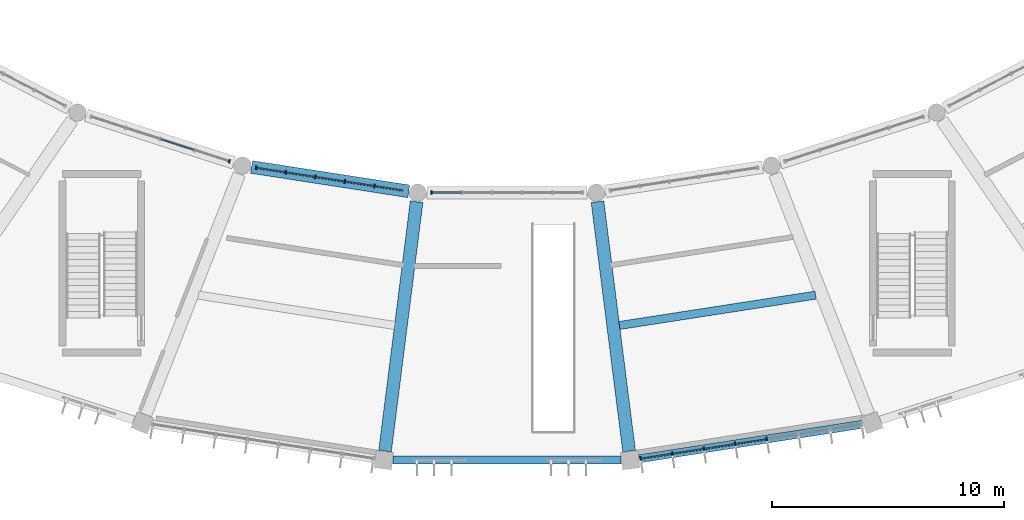
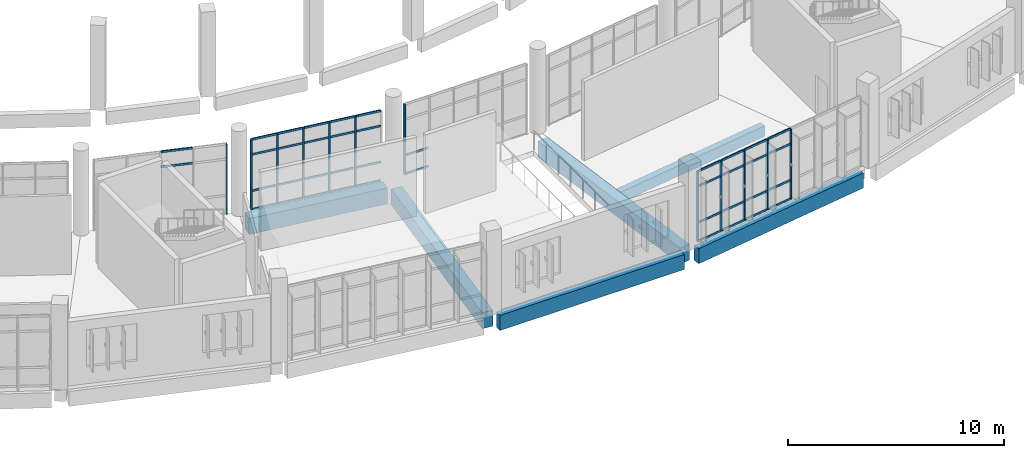
# One storey, part 14 of 179: 52 members, 6 beams, 4 elements without a shape of their own.
"""IFC4 building model written with IfcOpenShell, lengths in metres."""

from ifc_helpers import new_model, si_unit, direction, frame, origin, origin_2d, place, context, subcontext, project, spatial, rectangle, extrude, material, layer, layer_set, material_profile, profile_set, type_object, element, aggregate, save


model = new_model("IFC4")

# Units and contexts
model_context = context("Model", 3, precision=1e-05, world=origin(), true_north=direction((0.0, 1.0)))
body_context = subcontext(model_context, "Body", "Model", "MODEL_VIEW")
ifc_project = project(units=[si_unit("LENGTHUNIT", "METRE"), si_unit("AREAUNIT", "SQUARE_METRE"), si_unit("VOLUMEUNIT", "CUBIC_METRE"), si_unit("PLANEANGLEUNIT", "RADIAN"), si_unit("MASSUNIT", "GRAM", prefix="KILO")], contexts=[model_context])

# Site, building, storey
site_placement = place(None, origin())
site = spatial("IfcSite", under=ifc_project, at=site_placement, CompositionType="ELEMENT")
building_placement = place(site_placement, origin())
building = spatial("IfcBuilding", under=site, at=building_placement, Name="Corvandel Quay Wholesale Market", CompositionType="ELEMENT")
storey_placement = place(building_placement, frame((0.0, 0.0, 6.0)))
storey = spatial("IfcBuildingStorey", under=building, at=storey_placement, Name="L01", CompositionType="ELEMENT", Elevation=6.0)

# Curtain wall, member
ifc_material_1 = material(Name="Bronze anodised aluminium and low-E insulated glazing", Category="aluminium")
ifc_layer_1 = layer(ifc_material_1, 0.174072265625)
ifc_layer_set_1 = layer_set([ifc_layer_1], Name="Bronze anodised aluminium and low-E insulated glazing")
curtain_wall_type_1 = type_object("IfcCurtainWallType", Name="Stick Curtain Wall System CW12 H4080", PredefinedType="NOTDEFINED", material=ifc_layer_set_1)
curtain_wall_1_placement = place(storey_placement, origin())
curtain_wall_1 = element("IfcCurtainWall", 1, at=curtain_wall_1_placement, inside=storey, type_object=curtain_wall_type_1, Name="Curtain Wall CW-0064", PredefinedType="NOTDEFINED")
ifc_material_2 = material(Name="Anodised aluminium 6063-T6", Category="aluminium")
ifc_material_profile_1 = material_profile(ifc_material_2, rectangle(XDim=0.06494140625, YDim=0.14990234375, at=origin_2d()), Name="ALU-MUL-65x150")
ifc_profile_set_1 = profile_set([ifc_material_profile_1], Name="Anodised aluminium 6063-T6")
member_type_1 = type_object("IfcMemberType", Name="Curtain Wall Mullion ML02 65x150", PredefinedType="MULLION", material=ifc_profile_set_1)
member_1_placement = place(storey_placement, frame((102.0087890625, 12.904052734375, 0.0), z_axis=(0.0, 0.0, 1.0), x_axis=(-0.951808747363, 0.306692204733, 0.0)))
member_1 = element("IfcMember", 2, at=member_1_placement, type_object=member_type_1, Name="Mullion CW-0064-M04", PredefinedType="MULLION", context=body_context, shape_type="SweptSolid", body=[
    extrude(rectangle(XDim=0.06494140625, YDim=0.14990234375, at=origin_2d()), origin(), (0.0, 0.0, 1.0), 3.949951171875),
])

# Curtain wall, members
ifc_layer_2 = layer(ifc_material_1, 0.18603515625)
ifc_layer_set_2 = layer_set([ifc_layer_2], Name="Bronze anodised aluminium and low-E insulated glazing")
curtain_wall_type_2 = type_object("IfcCurtainWallType", Name="Stick Curtain Wall System CW13 H4170", PredefinedType="NOTDEFINED", material=ifc_layer_set_2)
curtain_wall_2_placement = place(storey_placement, origin())
curtain_wall_2 = element("IfcCurtainWall", 3, at=curtain_wall_2_placement, inside=storey, type_object=curtain_wall_type_2, Name="Curtain Wall CW-0067", PredefinedType="NOTDEFINED")
member_2_placement = place(storey_placement, frame((103.173095703125, 12.62841796875, 0.0), z_axis=(0.0, 0.0, 1.0), x_axis=(-0.98825506746, 0.152813355565, 0.0)))
member_2 = element("IfcMember", 4, at=member_2_placement, type_object=member_type_1, Name="Mullion CW-0067-M00", PredefinedType="MULLION", context=body_context, shape_type="SweptSolid", body=[
    extrude(rectangle(XDim=0.06494140625, YDim=0.14990234375, at=origin_2d()), origin(), (0.0, 0.0, 1.0), 3.949951171875),
])
member_3_placement = place(storey_placement, frame((104.448486328125, 12.430908203125, 0.0), z_axis=(0.0, 0.0, 1.0), x_axis=(-0.98825506746, 0.152813355565, 0.0)))
member_3 = element("IfcMember", 5, at=member_3_placement, type_object=member_type_1, Name="Mullion CW-0067-M01", PredefinedType="MULLION", context=body_context, shape_type="SweptSolid", body=[
    extrude(rectangle(XDim=0.06494140625, YDim=0.14990234375, at=origin_2d()), origin(), (0.0, 0.0, 1.0), 3.949951171875),
])
member_4_placement = place(storey_placement, frame((105.72412109375, 12.233642578125, 0.0), z_axis=(0.0, 0.0, 1.0), x_axis=(-0.98825506746, 0.152813355565, 0.0)))
member_4 = element("IfcMember", 6, at=member_4_placement, type_object=member_type_1, Name="Mullion CW-0067-M02", PredefinedType="MULLION", context=body_context, shape_type="SweptSolid", body=[
    extrude(rectangle(XDim=0.06494140625, YDim=0.14990234375, at=origin_2d()), origin(), (0.0, 0.0, 1.0), 3.949951171875),
])
member_5_placement = place(storey_placement, frame((106.999755859375, 12.036376953125, 0.0), z_axis=(0.0, 0.0, 1.0), x_axis=(-0.98825506746, 0.152813355565, 0.0)))
member_5 = element("IfcMember", 7, at=member_5_placement, type_object=member_type_1, Name="Mullion CW-0067-M03", PredefinedType="MULLION", context=body_context, shape_type="SweptSolid", body=[
    extrude(rectangle(XDim=0.06494140625, YDim=0.14990234375, at=origin_2d()), origin(), (0.0, 0.0, 1.0), 3.949951171875),
])
member_6_placement = place(storey_placement, frame((108.275390625, 11.839111328125, 0.0), z_axis=(0.0, 0.0, 1.0), x_axis=(-0.98825506746, 0.152813355565, 0.0)))
member_6 = element("IfcMember", 8, at=member_6_placement, type_object=member_type_1, Name="Mullion CW-0067-M04", PredefinedType="MULLION", context=body_context, shape_type="SweptSolid", body=[
    extrude(rectangle(XDim=0.06494140625, YDim=0.14990234375, at=origin_2d()), origin(), (0.0, 0.0, 1.0), 3.949951171875),
])

# Curtain wall, member
ifc_layer_3 = layer(ifc_material_1, 0.197998046875)
ifc_layer_set_3 = layer_set([ifc_layer_3], Name="Bronze anodised aluminium and low-E insulated glazing")
curtain_wall_type_3 = type_object("IfcCurtainWallType", Name="Stick Curtain Wall System CW14 H4260", PredefinedType="NOTDEFINED", material=ifc_layer_set_3)
curtain_wall_3_placement = place(storey_placement, origin())
curtain_wall_3 = element("IfcCurtainWall", 9, at=curtain_wall_3_placement, inside=storey, type_object=curtain_wall_type_3, Name="Curtain Wall CW-0069", PredefinedType="NOTDEFINED")
member_7_placement = place(storey_placement, frame((110.743896484375, 11.550048828125, 0.0), z_axis=(0.0, 0.0, 1.0), x_axis=(1.0, 0.0, 0.0)))
member_7 = element("IfcMember", 10, at=member_7_placement, type_object=member_type_1, Name="Mullion CW-0069-M00", PredefinedType="MULLION", context=body_context, shape_type="SweptSolid", body=[
    extrude(rectangle(XDim=0.06494140625, YDim=0.14990234375, at=origin_2d()), origin(), (0.0, 0.0, 1.0), 3.949951171875),
])

# Curtain wall, members
ifc_layer_4 = layer(ifc_material_1, 0.162109375)
ifc_layer_set_4 = layer_set([ifc_layer_4], Name="Bronze anodised aluminium and low-E insulated glazing")
curtain_wall_type_4 = type_object("IfcCurtainWallType", Name="Stick Curtain Wall System CW01 H3090", PredefinedType="NOTDEFINED", material=ifc_layer_set_4)
curtain_wall_4_placement = place(storey_placement, origin())
curtain_wall_4 = element("IfcCurtainWall", 11, at=curtain_wall_4_placement, inside=storey, type_object=curtain_wall_type_4, Name="Curtain Wall CW-0071", PredefinedType="NOTDEFINED")
member_8_placement = place(storey_placement, frame((119.763671875, 0.06884765625, 0.0), z_axis=(0.0, 0.0, 1.0), x_axis=(0.98825506746, 0.152813355565, 0.0)))
member_8 = element("IfcMember", 12, at=member_8_placement, type_object=member_type_1, Name="Mullion CW-0071-M00", PredefinedType="MULLION", context=body_context, shape_type="SweptSolid", body=[
    extrude(rectangle(XDim=0.06494140625, YDim=0.14990234375, at=origin_2d()), origin(), (0.0, 0.0, 1.0), 3.949951171875),
])
member_9_placement = place(storey_placement, frame((121.126953125, 0.27978515625, 0.0), z_axis=(0.0, 0.0, 1.0), x_axis=(0.98825506746, 0.152813355565, 0.0)))
member_9 = element("IfcMember", 13, at=member_9_placement, type_object=member_type_1, Name="Mullion CW-0071-M01", PredefinedType="MULLION", context=body_context, shape_type="SweptSolid", body=[
    extrude(rectangle(XDim=0.06494140625, YDim=0.14990234375, at=origin_2d()), origin(), (0.0, 0.0, 1.0), 3.949951171875),
])
member_10_placement = place(storey_placement, frame((122.490234375, 0.490478515625, 0.0), z_axis=(0.0, 0.0, 1.0), x_axis=(0.98825506746, 0.152813355565, 0.0)))
member_10 = element("IfcMember", 14, at=member_10_placement, type_object=member_type_1, Name="Mullion CW-0071-M02", PredefinedType="MULLION", context=body_context, shape_type="SweptSolid", body=[
    extrude(rectangle(XDim=0.06494140625, YDim=0.14990234375, at=origin_2d()), origin(), (0.0, 0.0, 1.0), 3.949951171875),
])
member_11_placement = place(storey_placement, frame((123.853515625, 0.701416015625, 0.0), z_axis=(0.0, 0.0, 1.0), x_axis=(0.98825506746, 0.152813355565, 0.0)))
member_11 = element("IfcMember", 15, at=member_11_placement, type_object=member_type_1, Name="Mullion CW-0071-M03", PredefinedType="MULLION", context=body_context, shape_type="SweptSolid", body=[
    extrude(rectangle(XDim=0.06494140625, YDim=0.14990234375, at=origin_2d()), origin(), (0.0, 0.0, 1.0), 3.949951171875),
])
member_12_placement = place(storey_placement, frame((125.216552734375, 0.91259765625, 0.0), z_axis=(0.0, 0.0, 1.0), x_axis=(0.98825506746, 0.152813355565, 0.0)))
member_12 = element("IfcMember", 16, at=member_12_placement, type_object=member_type_1, Name="Mullion CW-0071-M04", PredefinedType="MULLION", context=body_context, shape_type="SweptSolid", body=[
    extrude(rectangle(XDim=0.06494140625, YDim=0.14990234375, at=origin_2d()), origin(), (0.0, 0.0, 1.0), 3.949951171875),
])

# Member
ifc_material_profile_2 = material_profile(ifc_material_2, rectangle(XDim=0.06005859375, YDim=0.110107421875, at=origin_2d()), Name="ALU-TRN-60x110")
ifc_profile_set_2 = profile_set([ifc_material_profile_2], Name="Anodised aluminium 6063-T6")
member_type_2 = type_object("IfcMemberType", Name="Curtain Wall Transom TR02 60x110", PredefinedType="USERDEFINED", material=ifc_profile_set_2)
member_13_placement = place(storey_placement, frame((99.048828125, 13.85791015625, 3.10009765625), z_axis=(0.951812449712, -0.306680714383, 0.0), x_axis=(0.306680714383, 0.951812449712, 0.0)))
member_13 = element("IfcMember", 17, at=member_13_placement, type_object=member_type_2, Name="Transom CW-0064-T02-2", ObjectType="TRANSOM", PredefinedType="USERDEFINED", context=body_context, shape_type="SweptSolid", body=[
    extrude(rectangle(XDim=0.06005859375, YDim=0.110107421875, at=origin_2d()), origin(), (0.0, 0.0, 1.0), 1.506103515625),
])

member_14_placement = place(storey_placement, frame((99.048828125, 13.85791015625, 3.949951171875), z_axis=(0.951812449712, -0.306680714383, 0.0), x_axis=(0.306680714383, 0.951812449712, 0.0)))
member_14 = element("IfcMember", 18, at=member_14_placement, type_object=member_type_2, Name="Transom CW-0064-T02-3", ObjectType="TRANSOM", PredefinedType="USERDEFINED", context=body_context, shape_type="SweptSolid", body=[
    extrude(rectangle(XDim=0.06005859375, YDim=0.110107421875, at=origin_2d()), origin(), (0.0, 0.0, 1.0), 1.506103515625),
])

aggregate(curtain_wall_1, [member_1, member_13, member_14])

member_15_placement = place(storey_placement, frame((103.205078125, 12.623291015625, 0.0), z_axis=(0.988233143916, -0.152955069433, 0.0), x_axis=(0.152955069433, 0.988233143916, 0.0)))
member_15 = element("IfcMember", 19, at=member_15_placement, type_object=member_type_2, Name="Transom CW-0067-T00-0", ObjectType="TRANSOM", PredefinedType="USERDEFINED", context=body_context, shape_type="SweptSolid", body=[
    extrude(rectangle(XDim=0.06005859375, YDim=0.110107421875, at=origin_2d()), origin(), (0.0, 0.0, 1.0), 1.225830078125),
])

member_16_placement = place(storey_placement, frame((103.205078125, 12.623291015625, 1.050048828125), z_axis=(0.988233143916, -0.152955069433, 0.0), x_axis=(0.152955069433, 0.988233143916, 0.0)))
member_16 = element("IfcMember", 20, at=member_16_placement, type_object=member_type_2, Name="Transom CW-0067-T00-1", ObjectType="TRANSOM", PredefinedType="USERDEFINED", context=body_context, shape_type="SweptSolid", body=[
    extrude(rectangle(XDim=0.06005859375, YDim=0.110107421875, at=origin_2d()), origin(), (0.0, 0.0, 1.0), 1.225830078125),
])

member_17_placement = place(storey_placement, frame((103.205078125, 12.623291015625, 3.10009765625), z_axis=(0.988233143916, -0.152955069433, 0.0), x_axis=(0.152955069433, 0.988233143916, 0.0)))
member_17 = element("IfcMember", 21, at=member_17_placement, type_object=member_type_2, Name="Transom CW-0067-T00-2", ObjectType="TRANSOM", PredefinedType="USERDEFINED", context=body_context, shape_type="SweptSolid", body=[
    extrude(rectangle(XDim=0.06005859375, YDim=0.110107421875, at=origin_2d()), origin(), (0.0, 0.0, 1.0), 1.225830078125),
])

member_18_placement = place(storey_placement, frame((103.205078125, 12.623291015625, 3.949951171875), z_axis=(0.988233143916, -0.152955069433, 0.0), x_axis=(0.152955069433, 0.988233143916, 0.0)))
member_18 = element("IfcMember", 22, at=member_18_placement, type_object=member_type_2, Name="Transom CW-0067-T00-3", ObjectType="TRANSOM", PredefinedType="USERDEFINED", context=body_context, shape_type="SweptSolid", body=[
    extrude(rectangle(XDim=0.06005859375, YDim=0.110107421875, at=origin_2d()), origin(), (0.0, 0.0, 1.0), 1.225830078125),
])

member_19_placement = place(storey_placement, frame((104.480712890625, 12.426025390625, 0.0), z_axis=(0.988233143916, -0.152955069433, 0.0), x_axis=(0.152955069433, 0.988233143916, 0.0)))
member_19 = element("IfcMember", 23, at=member_19_placement, type_object=member_type_2, Name="Transom CW-0067-T01-0", ObjectType="TRANSOM", PredefinedType="USERDEFINED", context=body_context, shape_type="SweptSolid", body=[
    extrude(rectangle(XDim=0.06005859375, YDim=0.110107421875, at=origin_2d()), origin(), (0.0, 0.0, 1.0), 1.225830078125),
])

member_20_placement = place(storey_placement, frame((104.480712890625, 12.426025390625, 1.050048828125), z_axis=(0.988233143916, -0.152955069433, 0.0), x_axis=(0.152955069433, 0.988233143916, 0.0)))
member_20 = element("IfcMember", 24, at=member_20_placement, type_object=member_type_2, Name="Transom CW-0067-T01-1", ObjectType="TRANSOM", PredefinedType="USERDEFINED", context=body_context, shape_type="SweptSolid", body=[
    extrude(rectangle(XDim=0.06005859375, YDim=0.110107421875, at=origin_2d()), origin(), (0.0, 0.0, 1.0), 1.225830078125),
])

member_21_placement = place(storey_placement, frame((104.480712890625, 12.426025390625, 3.10009765625), z_axis=(0.988233143916, -0.152955069433, 0.0), x_axis=(0.152955069433, 0.988233143916, 0.0)))
member_21 = element("IfcMember", 25, at=member_21_placement, type_object=member_type_2, Name="Transom CW-0067-T01-2", ObjectType="TRANSOM", PredefinedType="USERDEFINED", context=body_context, shape_type="SweptSolid", body=[
    extrude(rectangle(XDim=0.06005859375, YDim=0.110107421875, at=origin_2d()), origin(), (0.0, 0.0, 1.0), 1.225830078125),
])

member_22_placement = place(storey_placement, frame((104.480712890625, 12.426025390625, 3.949951171875), z_axis=(0.988233143916, -0.152955069433, 0.0), x_axis=(0.152955069433, 0.988233143916, 0.0)))
member_22 = element("IfcMember", 26, at=member_22_placement, type_object=member_type_2, Name="Transom CW-0067-T01-3", ObjectType="TRANSOM", PredefinedType="USERDEFINED", context=body_context, shape_type="SweptSolid", body=[
    extrude(rectangle(XDim=0.06005859375, YDim=0.110107421875, at=origin_2d()), origin(), (0.0, 0.0, 1.0), 1.225830078125),
])

member_23_placement = place(storey_placement, frame((105.75634765625, 12.228759765625, 0.0), z_axis=(0.988233143916, -0.152955069433, 0.0), x_axis=(0.152955069433, 0.988233143916, 0.0)))
member_23 = element("IfcMember", 27, at=member_23_placement, type_object=member_type_2, Name="Transom CW-0067-T02-0", ObjectType="TRANSOM", PredefinedType="USERDEFINED", context=body_context, shape_type="SweptSolid", body=[
    extrude(rectangle(XDim=0.06005859375, YDim=0.110107421875, at=origin_2d()), origin(), (0.0, 0.0, 1.0), 1.225830078125),
])

member_24_placement = place(storey_placement, frame((105.75634765625, 12.228759765625, 1.050048828125), z_axis=(0.988233143916, -0.152955069433, 0.0), x_axis=(0.152955069433, 0.988233143916, 0.0)))
member_24 = element("IfcMember", 28, at=member_24_placement, type_object=member_type_2, Name="Transom CW-0067-T02-1", ObjectType="TRANSOM", PredefinedType="USERDEFINED", context=body_context, shape_type="SweptSolid", body=[
    extrude(rectangle(XDim=0.06005859375, YDim=0.110107421875, at=origin_2d()), origin(), (0.0, 0.0, 1.0), 1.225830078125),
])

member_25_placement = place(storey_placement, frame((105.75634765625, 12.228759765625, 3.10009765625), z_axis=(0.988233143916, -0.152955069433, 0.0), x_axis=(0.152955069433, 0.988233143916, 0.0)))
member_25 = element("IfcMember", 29, at=member_25_placement, type_object=member_type_2, Name="Transom CW-0067-T02-2", ObjectType="TRANSOM", PredefinedType="USERDEFINED", context=body_context, shape_type="SweptSolid", body=[
    extrude(rectangle(XDim=0.06005859375, YDim=0.110107421875, at=origin_2d()), origin(), (0.0, 0.0, 1.0), 1.225830078125),
])

member_26_placement = place(storey_placement, frame((105.75634765625, 12.228759765625, 3.949951171875), z_axis=(0.988233143916, -0.152955069433, 0.0), x_axis=(0.152955069433, 0.988233143916, 0.0)))
member_26 = element("IfcMember", 30, at=member_26_placement, type_object=member_type_2, Name="Transom CW-0067-T02-3", ObjectType="TRANSOM", PredefinedType="USERDEFINED", context=body_context, shape_type="SweptSolid", body=[
    extrude(rectangle(XDim=0.06005859375, YDim=0.110107421875, at=origin_2d()), origin(), (0.0, 0.0, 1.0), 1.225830078125),
])

member_27_placement = place(storey_placement, frame((107.031982421875, 12.031494140625, 0.0), z_axis=(0.988233143916, -0.152955069433, 0.0), x_axis=(0.152955069433, 0.988233143916, 0.0)))
member_27 = element("IfcMember", 31, at=member_27_placement, type_object=member_type_2, Name="Transom CW-0067-T03-0", ObjectType="TRANSOM", PredefinedType="USERDEFINED", context=body_context, shape_type="SweptSolid", body=[
    extrude(rectangle(XDim=0.06005859375, YDim=0.110107421875, at=origin_2d()), origin(), (0.0, 0.0, 1.0), 1.225830078125),
])

member_28_placement = place(storey_placement, frame((107.031982421875, 12.031494140625, 1.050048828125), z_axis=(0.988233143916, -0.152955069433, 0.0), x_axis=(0.152955069433, 0.988233143916, 0.0)))
member_28 = element("IfcMember", 32, at=member_28_placement, type_object=member_type_2, Name="Transom CW-0067-T03-1", ObjectType="TRANSOM", PredefinedType="USERDEFINED", context=body_context, shape_type="SweptSolid", body=[
    extrude(rectangle(XDim=0.06005859375, YDim=0.110107421875, at=origin_2d()), origin(), (0.0, 0.0, 1.0), 1.225830078125),
])

member_29_placement = place(storey_placement, frame((107.031982421875, 12.031494140625, 3.10009765625), z_axis=(0.988233143916, -0.152955069433, 0.0), x_axis=(0.152955069433, 0.988233143916, 0.0)))
member_29 = element("IfcMember", 33, at=member_29_placement, type_object=member_type_2, Name="Transom CW-0067-T03-2", ObjectType="TRANSOM", PredefinedType="USERDEFINED", context=body_context, shape_type="SweptSolid", body=[
    extrude(rectangle(XDim=0.06005859375, YDim=0.110107421875, at=origin_2d()), origin(), (0.0, 0.0, 1.0), 1.225830078125),
])

member_30_placement = place(storey_placement, frame((107.031982421875, 12.031494140625, 3.949951171875), z_axis=(0.988233143916, -0.152955069433, 0.0), x_axis=(0.152955069433, 0.988233143916, 0.0)))
member_30 = element("IfcMember", 34, at=member_30_placement, type_object=member_type_2, Name="Transom CW-0067-T03-3", ObjectType="TRANSOM", PredefinedType="USERDEFINED", context=body_context, shape_type="SweptSolid", body=[
    extrude(rectangle(XDim=0.06005859375, YDim=0.110107421875, at=origin_2d()), origin(), (0.0, 0.0, 1.0), 1.225830078125),
])

member_31_placement = place(storey_placement, frame((108.3076171875, 11.833984375, 0.0), z_axis=(0.988258580736, -0.152790633224, 0.0), x_axis=(0.152790633224, 0.988258580736, 0.0)))
member_31 = element("IfcMember", 35, at=member_31_placement, type_object=member_type_2, Name="Transom CW-0067-T04-0", ObjectType="TRANSOM", PredefinedType="USERDEFINED", context=body_context, shape_type="SweptSolid", body=[
    extrude(rectangle(XDim=0.06005859375, YDim=0.110107421875, at=origin_2d()), origin(), (0.0, 0.0, 1.0), 1.2255859375),
])

member_32_placement = place(storey_placement, frame((108.3076171875, 11.833984375, 1.050048828125), z_axis=(0.988258580736, -0.152790633224, 0.0), x_axis=(0.152790633224, 0.988258580736, 0.0)))
member_32 = element("IfcMember", 36, at=member_32_placement, type_object=member_type_2, Name="Transom CW-0067-T04-1", ObjectType="TRANSOM", PredefinedType="USERDEFINED", context=body_context, shape_type="SweptSolid", body=[
    extrude(rectangle(XDim=0.06005859375, YDim=0.110107421875, at=origin_2d()), origin(), (0.0, 0.0, 1.0), 1.2255859375),
])

member_33_placement = place(storey_placement, frame((108.3076171875, 11.833984375, 3.10009765625), z_axis=(0.988258580736, -0.152790633224, 0.0), x_axis=(0.152790633224, 0.988258580736, 0.0)))
member_33 = element("IfcMember", 37, at=member_33_placement, type_object=member_type_2, Name="Transom CW-0067-T04-2", ObjectType="TRANSOM", PredefinedType="USERDEFINED", context=body_context, shape_type="SweptSolid", body=[
    extrude(rectangle(XDim=0.06005859375, YDim=0.110107421875, at=origin_2d()), origin(), (0.0, 0.0, 1.0), 1.2255859375),
])

member_34_placement = place(storey_placement, frame((108.3076171875, 11.833984375, 3.949951171875), z_axis=(0.988258580736, -0.152790633224, 0.0), x_axis=(0.152790633224, 0.988258580736, 0.0)))
member_34 = element("IfcMember", 38, at=member_34_placement, type_object=member_type_2, Name="Transom CW-0067-T04-3", ObjectType="TRANSOM", PredefinedType="USERDEFINED", context=body_context, shape_type="SweptSolid", body=[
    extrude(rectangle(XDim=0.06005859375, YDim=0.110107421875, at=origin_2d()), origin(), (0.0, 0.0, 1.0), 1.2255859375),
])

aggregate(curtain_wall_2, [member_2, member_3, member_4, member_5, member_6, member_15, member_16, member_17, member_18, member_19, member_20, member_21, member_22, member_23, member_24, member_25, member_26, member_27, member_28, member_29, member_30, member_31, member_32, member_33, member_34])

member_35_placement = place(storey_placement, frame((110.776611328125, 11.550048828125, 0.0), z_axis=(1.0, 0.0, 0.0), x_axis=(0.0, 1.0, 0.0)))
member_35 = element("IfcMember", 39, at=member_35_placement, type_object=member_type_2, Name="Transom CW-0069-T00-0", ObjectType="TRANSOM", PredefinedType="USERDEFINED", context=body_context, shape_type="SweptSolid", body=[
    extrude(rectangle(XDim=0.06005859375, YDim=0.110107421875, at=origin_2d()), origin(), (0.0, 0.0, 1.0), 1.2373046875),
])

member_36_placement = place(storey_placement, frame((110.776611328125, 11.550048828125, 1.050048828125), z_axis=(1.0, 0.0, 0.0), x_axis=(0.0, 1.0, 0.0)))
member_36 = element("IfcMember", 40, at=member_36_placement, type_object=member_type_2, Name="Transom CW-0069-T00-1", ObjectType="TRANSOM", PredefinedType="USERDEFINED", context=body_context, shape_type="SweptSolid", body=[
    extrude(rectangle(XDim=0.06005859375, YDim=0.110107421875, at=origin_2d()), origin(), (0.0, 0.0, 1.0), 1.2373046875),
])

aggregate(curtain_wall_3, [member_7, member_35, member_36])

member_37_placement = place(storey_placement, frame((119.7958984375, 0.07373046875, 0.0), z_axis=(0.988244650986, 0.152880704466, 0.0), x_axis=(-0.152880704466, 0.988244650986, 0.0)))
member_37 = element("IfcMember", 41, at=member_37_placement, type_object=member_type_2, Name="Transom CW-0071-T00-0", ObjectType="TRANSOM", PredefinedType="USERDEFINED", context=body_context, shape_type="SweptSolid", body=[
    extrude(rectangle(XDim=0.06005859375, YDim=0.110107421875, at=origin_2d()), origin(), (0.0, 0.0, 1.0), 1.314208984375),
])

member_38_placement = place(storey_placement, frame((119.7958984375, 0.07373046875, 1.050048828125), z_axis=(0.988244650986, 0.152880704466, 0.0), x_axis=(-0.152880704466, 0.988244650986, 0.0)))
member_38 = element("IfcMember", 42, at=member_38_placement, type_object=member_type_2, Name="Transom CW-0071-T00-1", ObjectType="TRANSOM", PredefinedType="USERDEFINED", context=body_context, shape_type="SweptSolid", body=[
    extrude(rectangle(XDim=0.06005859375, YDim=0.110107421875, at=origin_2d()), origin(), (0.0, 0.0, 1.0), 1.314208984375),
])

member_39_placement = place(storey_placement, frame((119.7958984375, 0.07373046875, 3.10009765625), z_axis=(0.988244650986, 0.152880704466, 0.0), x_axis=(-0.152880704466, 0.988244650986, 0.0)))
member_39 = element("IfcMember", 43, at=member_39_placement, type_object=member_type_2, Name="Transom CW-0071-T00-2", ObjectType="TRANSOM", PredefinedType="USERDEFINED", context=body_context, shape_type="SweptSolid", body=[
    extrude(rectangle(XDim=0.06005859375, YDim=0.110107421875, at=origin_2d()), origin(), (0.0, 0.0, 1.0), 1.314208984375),
])

member_40_placement = place(storey_placement, frame((119.7958984375, 0.07373046875, 3.949951171875), z_axis=(0.988244650986, 0.152880704466, 0.0), x_axis=(-0.152880704466, 0.988244650986, 0.0)))
member_40 = element("IfcMember", 44, at=member_40_placement, type_object=member_type_2, Name="Transom CW-0071-T00-3", ObjectType="TRANSOM", PredefinedType="USERDEFINED", context=body_context, shape_type="SweptSolid", body=[
    extrude(rectangle(XDim=0.06005859375, YDim=0.110107421875, at=origin_2d()), origin(), (0.0, 0.0, 1.0), 1.314208984375),
])

member_41_placement = place(storey_placement, frame((121.158935546875, 0.28466796875, 0.0), z_axis=(0.988248991474, 0.152852644237, 0.0), x_axis=(-0.152852644237, 0.988248991474, 0.0)))
member_41 = element("IfcMember", 45, at=member_41_placement, type_object=member_type_2, Name="Transom CW-0071-T01-0", ObjectType="TRANSOM", PredefinedType="USERDEFINED", context=body_context, shape_type="SweptSolid", body=[
    extrude(rectangle(XDim=0.06005859375, YDim=0.110107421875, at=origin_2d()), origin(), (0.0, 0.0, 1.0), 1.314453125),
])

member_42_placement = place(storey_placement, frame((121.158935546875, 0.28466796875, 1.050048828125), z_axis=(0.988248991474, 0.152852644237, 0.0), x_axis=(-0.152852644237, 0.988248991474, 0.0)))
member_42 = element("IfcMember", 46, at=member_42_placement, type_object=member_type_2, Name="Transom CW-0071-T01-1", ObjectType="TRANSOM", PredefinedType="USERDEFINED", context=body_context, shape_type="SweptSolid", body=[
    extrude(rectangle(XDim=0.06005859375, YDim=0.110107421875, at=origin_2d()), origin(), (0.0, 0.0, 1.0), 1.314453125),
])

member_43_placement = place(storey_placement, frame((121.158935546875, 0.28466796875, 3.10009765625), z_axis=(0.988248991474, 0.152852644237, 0.0), x_axis=(-0.152852644237, 0.988248991474, 0.0)))
member_43 = element("IfcMember", 47, at=member_43_placement, type_object=member_type_2, Name="Transom CW-0071-T01-2", ObjectType="TRANSOM", PredefinedType="USERDEFINED", context=body_context, shape_type="SweptSolid", body=[
    extrude(rectangle(XDim=0.06005859375, YDim=0.110107421875, at=origin_2d()), origin(), (0.0, 0.0, 1.0), 1.314453125),
])

member_44_placement = place(storey_placement, frame((121.158935546875, 0.28466796875, 3.949951171875), z_axis=(0.988248991474, 0.152852644237, 0.0), x_axis=(-0.152852644237, 0.988248991474, 0.0)))
member_44 = element("IfcMember", 48, at=member_44_placement, type_object=member_type_2, Name="Transom CW-0071-T01-3", ObjectType="TRANSOM", PredefinedType="USERDEFINED", context=body_context, shape_type="SweptSolid", body=[
    extrude(rectangle(XDim=0.06005859375, YDim=0.110107421875, at=origin_2d()), origin(), (0.0, 0.0, 1.0), 1.314453125),
])

member_45_placement = place(storey_placement, frame((122.522216796875, 0.49560546875, 0.0), z_axis=(0.988248991474, 0.152852644237, 0.0), x_axis=(-0.152852644237, 0.988248991474, 0.0)))
member_45 = element("IfcMember", 49, at=member_45_placement, type_object=member_type_2, Name="Transom CW-0071-T02-0", ObjectType="TRANSOM", PredefinedType="USERDEFINED", context=body_context, shape_type="SweptSolid", body=[
    extrude(rectangle(XDim=0.06005859375, YDim=0.110107421875, at=origin_2d()), origin(), (0.0, 0.0, 1.0), 1.314453125),
])

member_46_placement = place(storey_placement, frame((122.522216796875, 0.49560546875, 1.050048828125), z_axis=(0.988248991474, 0.152852644237, 0.0), x_axis=(-0.152852644237, 0.988248991474, 0.0)))
member_46 = element("IfcMember", 50, at=member_46_placement, type_object=member_type_2, Name="Transom CW-0071-T02-1", ObjectType="TRANSOM", PredefinedType="USERDEFINED", context=body_context, shape_type="SweptSolid", body=[
    extrude(rectangle(XDim=0.06005859375, YDim=0.110107421875, at=origin_2d()), origin(), (0.0, 0.0, 1.0), 1.314453125),
])

member_47_placement = place(storey_placement, frame((122.522216796875, 0.49560546875, 3.10009765625), z_axis=(0.988248991474, 0.152852644237, 0.0), x_axis=(-0.152852644237, 0.988248991474, 0.0)))
member_47 = element("IfcMember", 51, at=member_47_placement, type_object=member_type_2, Name="Transom CW-0071-T02-2", ObjectType="TRANSOM", PredefinedType="USERDEFINED", context=body_context, shape_type="SweptSolid", body=[
    extrude(rectangle(XDim=0.06005859375, YDim=0.110107421875, at=origin_2d()), origin(), (0.0, 0.0, 1.0), 1.314453125),
])

member_48_placement = place(storey_placement, frame((122.522216796875, 0.49560546875, 3.949951171875), z_axis=(0.988248991474, 0.152852644237, 0.0), x_axis=(-0.152852644237, 0.988248991474, 0.0)))
member_48 = element("IfcMember", 52, at=member_48_placement, type_object=member_type_2, Name="Transom CW-0071-T02-3", ObjectType="TRANSOM", PredefinedType="USERDEFINED", context=body_context, shape_type="SweptSolid", body=[
    extrude(rectangle(XDim=0.06005859375, YDim=0.110107421875, at=origin_2d()), origin(), (0.0, 0.0, 1.0), 1.314453125),
])

member_49_placement = place(storey_placement, frame((123.885498046875, 0.70654296875, 0.0), z_axis=(0.988248991474, 0.152852644237, 0.0), x_axis=(-0.152852644237, 0.988248991474, 0.0)))
member_49 = element("IfcMember", 53, at=member_49_placement, type_object=member_type_2, Name="Transom CW-0071-T03-0", ObjectType="TRANSOM", PredefinedType="USERDEFINED", context=body_context, shape_type="SweptSolid", body=[
    extrude(rectangle(XDim=0.06005859375, YDim=0.110107421875, at=origin_2d()), origin(), (0.0, 0.0, 1.0), 1.314453125),
])

member_50_placement = place(storey_placement, frame((123.885498046875, 0.70654296875, 1.050048828125), z_axis=(0.988248991474, 0.152852644237, 0.0), x_axis=(-0.152852644237, 0.988248991474, 0.0)))
member_50 = element("IfcMember", 54, at=member_50_placement, type_object=member_type_2, Name="Transom CW-0071-T03-1", ObjectType="TRANSOM", PredefinedType="USERDEFINED", context=body_context, shape_type="SweptSolid", body=[
    extrude(rectangle(XDim=0.06005859375, YDim=0.110107421875, at=origin_2d()), origin(), (0.0, 0.0, 1.0), 1.314453125),
])

member_51_placement = place(storey_placement, frame((123.885498046875, 0.70654296875, 3.10009765625), z_axis=(0.988248991474, 0.152852644237, 0.0), x_axis=(-0.152852644237, 0.988248991474, 0.0)))
member_51 = element("IfcMember", 55, at=member_51_placement, type_object=member_type_2, Name="Transom CW-0071-T03-2", ObjectType="TRANSOM", PredefinedType="USERDEFINED", context=body_context, shape_type="SweptSolid", body=[
    extrude(rectangle(XDim=0.06005859375, YDim=0.110107421875, at=origin_2d()), origin(), (0.0, 0.0, 1.0), 1.314453125),
])

member_52_placement = place(storey_placement, frame((123.885498046875, 0.70654296875, 3.949951171875), z_axis=(0.988248991474, 0.152852644237, 0.0), x_axis=(-0.152852644237, 0.988248991474, 0.0)))
member_52 = element("IfcMember", 56, at=member_52_placement, type_object=member_type_2, Name="Transom CW-0071-T03-3", ObjectType="TRANSOM", PredefinedType="USERDEFINED", context=body_context, shape_type="SweptSolid", body=[
    extrude(rectangle(XDim=0.06005859375, YDim=0.110107421875, at=origin_2d()), origin(), (0.0, 0.0, 1.0), 1.314453125),
])

aggregate(curtain_wall_4, [member_8, member_9, member_10, member_11, member_12, member_37, member_38, member_39, member_40, member_41, member_42, member_43, member_44, member_45, member_46, member_47, member_48, member_49, member_50, member_51, member_52])

# Beams
ifc_material_3 = material(Name="Precast concrete C45/55", Category="concrete")
ifc_material_profile_3 = material_profile(ifc_material_3, rectangle(XDim=0.35009765625, YDim=0.85009765625, at=origin_2d()), Name="PC-SPN-350x850")
ifc_profile_set_3 = profile_set([ifc_material_profile_3], Name="Precast concrete C45/55")
beam_type_1 = type_object("IfcBeamType", Name="Perimeter Precast Spandrel SP01 350x850", PredefinedType="SPANDREL", material=ifc_profile_set_3)
beam_1_placement = place(storey_placement, frame((109.075927734375, 0.0, -0.72509765625), z_axis=(1.0, 0.0, 0.0), x_axis=(0.0, 1.0, 0.0)))
element("IfcBeam", 57, at=beam_1_placement, inside=storey, type_object=beam_type_1, Name="Beam BM-0288", PredefinedType="SPANDREL", context=body_context, shape_type="SweptSolid", body=[
    extrude(rectangle(XDim=0.35009765625, YDim=0.85009765625, at=origin_2d()), origin(), (0.0, 0.0, 1.0), 9.84814453125),
])
beam_2_placement = place(storey_placement, frame((119.70947265625, 0.060302734375, -0.72509765625), z_axis=(0.988238667456, 0.152919377927, 0.0), x_axis=(-0.152919377927, 0.988238667456, 0.0)))
element("IfcBeam", 58, at=beam_2_placement, inside=storey, type_object=beam_type_1, Name="Beam BM-0299", PredefinedType="SPANDREL", context=body_context, shape_type="SweptSolid", body=[
    extrude(rectangle(XDim=0.35009765625, YDim=0.85009765625, at=origin_2d()), origin(), (0.0, 0.0, 1.0), 9.765869140625),
])
ifc_material_profile_4 = material_profile(ifc_material_3, rectangle(XDim=0.550048828125, YDim=0.89990234375, at=origin_2d()), Name="PC-GIR-550x900")
ifc_profile_set_4 = profile_set([ifc_material_profile_4], Name="Precast concrete C45/55")
beam_type_2 = type_object("IfcBeamType", Name="Produce Hall Radial Girder G03 550x900", PredefinedType="USERDEFINED", material=ifc_profile_set_4)
beam_3_placement = place(storey_placement, frame((102.970458984375, 12.65966796875, -0.75), z_axis=(0.988245531799, -0.152875010642, 0.0), x_axis=(0.152875010642, 0.988245531799, 0.0)))
element("IfcBeam", 59, at=beam_3_placement, inside=storey, type_object=beam_type_2, Name="Beam BM-0277", ObjectType="GIRDER", PredefinedType="USERDEFINED", context=body_context, shape_type="SweptSolid", body=[
    extrude(rectangle(XDim=0.550048828125, YDim=0.89990234375, at=origin_2d()), origin(), (0.0, 0.0, 1.0), 6.86376953125),
])
for number, where, z_axis, x_axis, name in (
    (60, (108.730712890625, 0.391845703125, -0.75), (0.125665389499, 0.99207268377, 0.0), (-0.99207268377, 0.125665389499, 0.0), "Beam BM-0290"),
    (61, (119.269287109375, 0.391845703125, -0.75), (-0.125665389499, 0.99207268377, 0.0), (-0.99207268377, -0.125665389499, 0.0), "Beam BM-0301"),
):
    element("IfcBeam", number, at=place(storey_placement, frame(where, z_axis=z_axis, x_axis=x_axis)), inside=storey, type_object=beam_type_2, Name=name, ObjectType="GIRDER", PredefinedType="USERDEFINED", context=body_context, shape_type="SweptSolid", body=[
        extrude(rectangle(XDim=0.550048828125, YDim=0.89990234375, at=origin_2d()), origin(), (0.0, 0.0, 1.0), 10.852294921875),
    ])
ifc_material_profile_5 = material_profile(ifc_material_3, rectangle(XDim=0.35009765625, YDim=0.60009765625, at=origin_2d()), Name="PC-BM-350x600")
ifc_profile_set_5 = profile_set([ifc_material_profile_5], Name="Precast concrete C45/55")
beam_type_3 = type_object("IfcBeamType", Name="Trading Gallery Secondary Beam B02 350x600", PredefinedType="BEAM", material=ifc_profile_set_5)
beam_4_placement = place(storey_placement, frame((118.849365234375, 5.8154296875, -0.60009765625), z_axis=(0.988242977198, 0.152891523698, 0.0), x_axis=(-0.152891523698, 0.988242977198, 0.0)))
element("IfcBeam", 62, at=beam_4_placement, inside=storey, type_object=beam_type_3, Name="Beam BM-0302", PredefinedType="BEAM", context=body_context, shape_type="SweptSolid", body=[
    extrude(rectangle(XDim=0.35009765625, YDim=0.60009765625, at=origin_2d()), origin(), (0.0, 0.0, 1.0), 8.574951171875),
])

save(model, "model.ifc")
